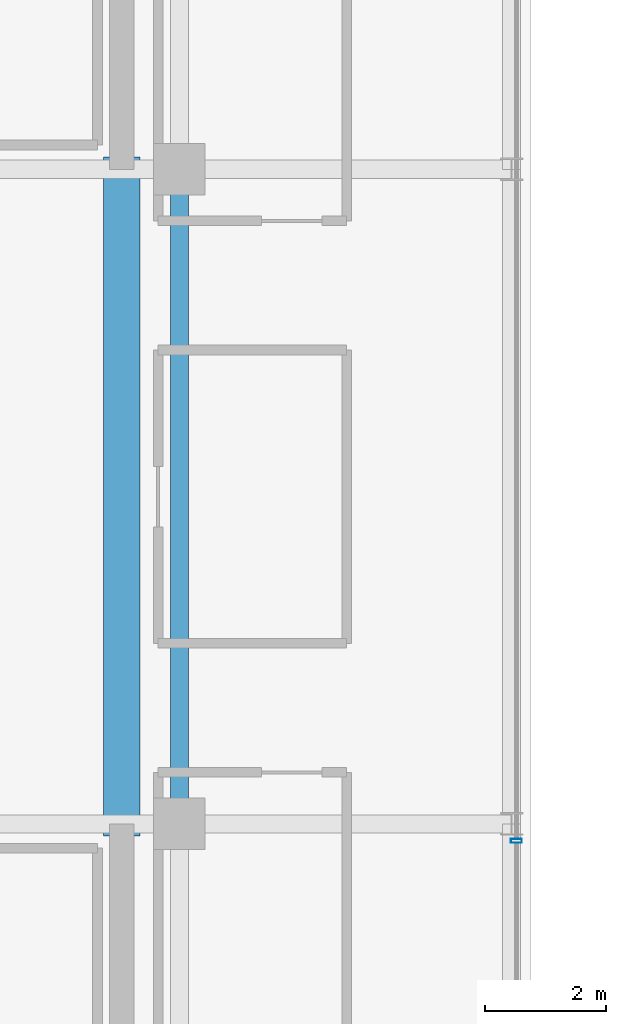
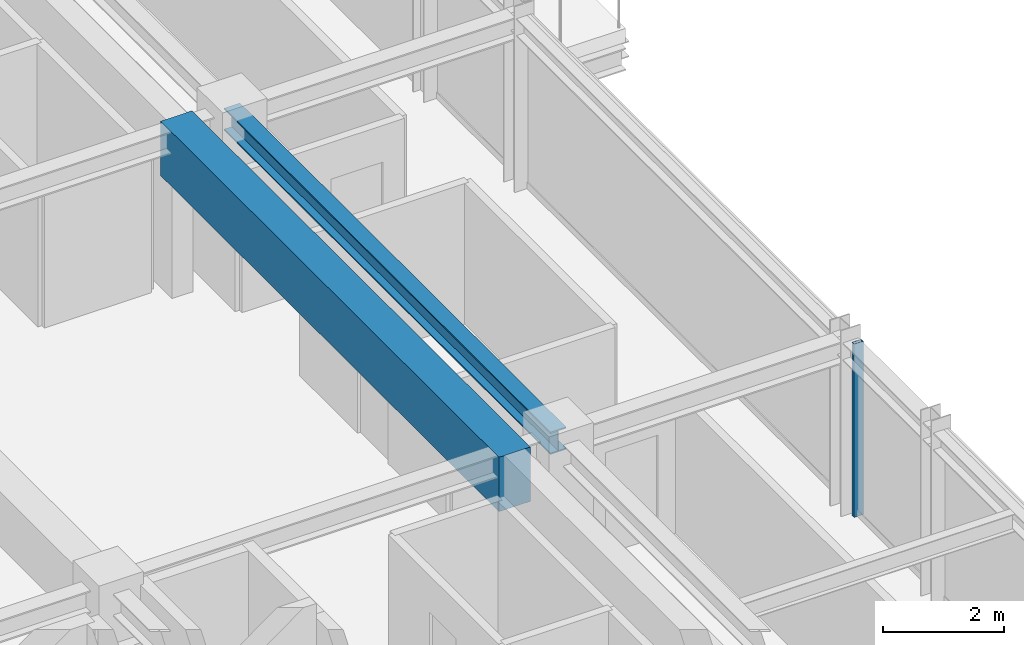
# One storey, part 13 of 33: 2 beams, 1 member, 1 element without a shape of its own.
"""IFC4 building model written with IfcOpenShell, lengths in metres."""

from ifc_helpers import new_model, si_unit, direction, frame, origin, origin_2d, place, context, subcontext, project, spatial, rectangle, hollow_rectangle, i_section, extrude, source, transform, mapped, material, material_profile, profile_set, type_object, element, aggregate, save


model = new_model("IFC4")

# Units and contexts
model_context = context("Model", 3, precision=1e-05, world=origin(), true_north=direction((0.0, 1.0)))
body_context = subcontext(model_context, "Body", "Model", "MODEL_VIEW")
ifc_project = project(units=[si_unit("LENGTHUNIT", "METRE"), si_unit("AREAUNIT", "SQUARE_METRE"), si_unit("VOLUMEUNIT", "CUBIC_METRE"), si_unit("PLANEANGLEUNIT", "RADIAN"), si_unit("MASSUNIT", "GRAM", prefix="KILO")], contexts=[model_context])

# Site, building, storey
site_placement = place(None, origin())
site = spatial("IfcSite", under=ifc_project, at=site_placement, CompositionType="ELEMENT")
building_placement = place(site_placement, origin())
building = spatial("IfcBuilding", under=site, at=building_placement, Name="Nahalor Promenade Grand Hotel", CompositionType="ELEMENT")
storey_placement = place(building_placement, frame((0.0, 0.0, 315.75)))
storey = spatial("IfcBuildingStorey", under=building, at=storey_placement, Name="L81", CompositionType="ELEMENT", Elevation=315.75)

# Beams
ifc_material_1 = material(Name="Concrete B-60 (C50/60)", Category="concrete")
ifc_material_profile_1 = material_profile(ifc_material_1, rectangle(XDim=0.6, YDim=1.1, at=origin_2d()), Name="RC 600x1100")
ifc_profile_set_1 = profile_set([ifc_material_profile_1], Name="Concrete B-60 (C50/60)")
beam_type_1 = type_object("IfcBeamType", Name="Beam-Lintel-RC1100", PredefinedType="LINTEL", material=ifc_profile_set_1)
shared_shape_1 = source(origin(), body_context, "Body", "SweptSolid", [
    extrude(rectangle(XDim=0.6, YDim=1.1, at=origin_2d()), origin(), (0.0, 0.0, 1.0), 11.2001953125),
])
beam_1_placement = place(storey_placement, frame((16.050048828125, -5.60009765625, 2.949951171875), z_axis=(0.0, 1.0, 0.0), x_axis=(-1.0, 0.0, 0.0)))
element("IfcBeam", 1, at=beam_1_placement, inside=storey, type_object=beam_type_1, Name="BM-L81-LINT-E", PredefinedType="LINTEL", context=body_context, shape_type="MappedRepresentation", body=[
    mapped(shared_shape_1, transform((0.0, 0.0, 0.0), scale=1.0)),
])
ifc_material_2 = material(Name="Steel S355JR", Category="steel")
ifc_material_profile_2 = material_profile(ifc_material_2, i_section(OverallWidth=0.3, OverallDepth=0.45, WebThickness=0.014, FlangeThickness=0.026, at=origin_2d()), Name="HEB 450")
ifc_profile_set_2 = profile_set([ifc_material_profile_2], Name="Steel S355JR")
beam_type_2 = type_object("IfcBeamType", Name="Beam-Girder-HEB450", PredefinedType="BEAM", material=ifc_profile_set_2)
shared_shape_2 = source(origin(), body_context, "Body", "SweptSolid", [
    extrude(i_section(OverallWidth=0.3, OverallDepth=0.45, WebThickness=0.014, FlangeThickness=0.026, at=origin_2d()), origin(), (0.0, 0.0, 1.0), 10.7998046875),
])
beam_2_placement = place(storey_placement, frame((17.0, -5.39990234375, 3.27490234375), z_axis=(0.0, 1.0, 0.0), x_axis=(-1.0, 0.0, 0.0)))
element("IfcBeam", 2, at=beam_2_placement, inside=storey, type_object=beam_type_2, Name="BM-L81-GY-5-2", PredefinedType="BEAM", context=body_context, shape_type="MappedRepresentation", body=[
    mapped(shared_shape_2, transform((0.0, 0.0, 0.0), scale=1.0)),
])

# Curtain wall, member
ifc_material_3 = material(Name="Anodised Bronze Aluminium EN AW-6063 T6", Category="aluminium")
curtain_wall_type = type_object("IfcCurtainWallType", Name="CW2 Typical Hotel Flush Bronze Unitised Curtain Wall", PredefinedType="USERDEFINED", material=ifc_material_3)
curtain_wall_placement = place(storey_placement, origin())
curtain_wall = element("IfcCurtainWall", 3, at=curtain_wall_placement, inside=storey, type_object=curtain_wall_type, Name="L81 Curtain Wall CW-L81-E-1", ObjectType="UNITISED_CURTAIN_WALL", PredefinedType="USERDEFINED")
ifc_material_profile_3 = material_profile(ifc_material_3, hollow_rectangle(XDim=0.065, YDim=0.18, WallThickness=0.004, at=origin_2d()), Name="CWM 65x180x4")
ifc_profile_set_3 = profile_set([ifc_material_profile_3], Name="Anodised Bronze Aluminium EN AW-6063 T6")
member_type = type_object("IfcMemberType", Name="CWM2 Typical Bronze Mullion 65x180", PredefinedType="MULLION", material=ifc_profile_set_3)
shared_shape_3 = source(origin(), body_context, "Body", "SweptSolid", [
    extrude(hollow_rectangle(XDim=0.065, YDim=0.18, WallThickness=0.004, at=origin_2d()), origin(), (0.0, 0.0, 1.0), 3.5),
])
member_placement = place(storey_placement, frame((22.56005859375, -5.679931640625, 0.0), z_axis=(0.0, 0.0, 1.0), x_axis=(0.0, 1.0, 0.0)))
member = element("IfcMember", 4, at=member_placement, type_object=member_type, Name="CW-L81-E-1 Mullion 1", PredefinedType="MULLION", context=body_context, shape_type="MappedRepresentation", body=[
    mapped(shared_shape_3, transform((0.0, 0.0, 0.0), scale=1.0)),
])
aggregate(curtain_wall, [member])

save(model, "model.ifc")
